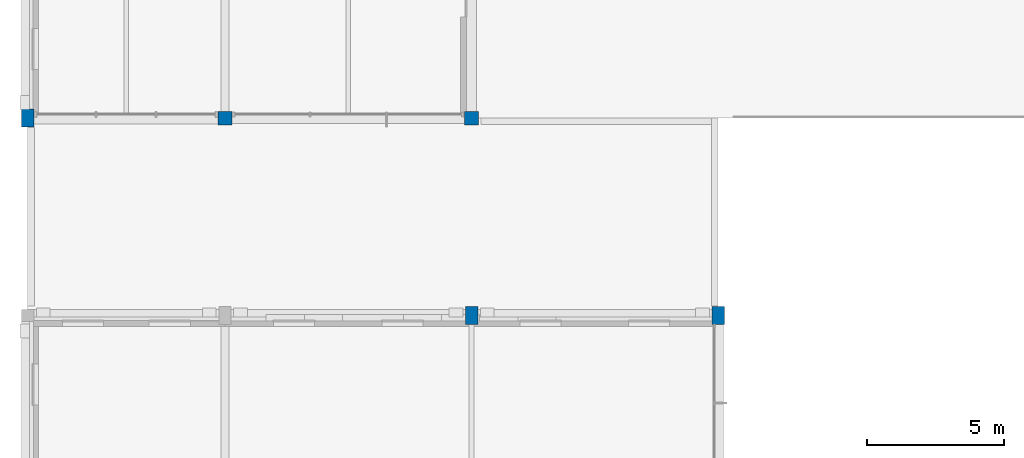
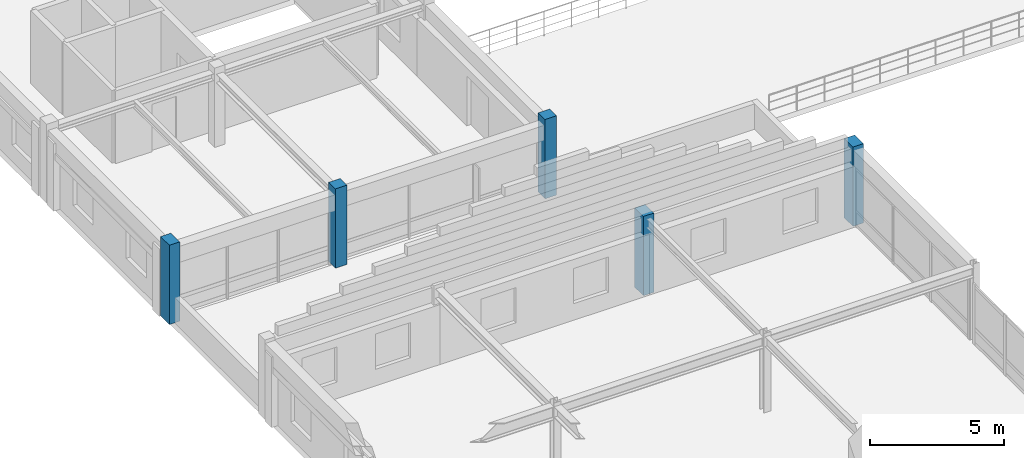
# One storey, part 5 of 74: 5 columns.
"""IFC4 building model written with IfcOpenShell, lengths in metres."""

from ifc_helpers import new_model, si_unit, direction, frame, origin, origin_2d, place, context, subcontext, project, spatial, rectangle, extrude, material, material_profile, profile_set, type_object, element, save


model = new_model("IFC4")

# Units and contexts
model_context = context("Model", 3, precision=1e-05, world=origin(), true_north=direction((0.0, 1.0)))
body_context = subcontext(model_context, "Body", "Model", "MODEL_VIEW")
ifc_project = project(units=[si_unit("LENGTHUNIT", "METRE"), si_unit("AREAUNIT", "SQUARE_METRE"), si_unit("VOLUMEUNIT", "CUBIC_METRE"), si_unit("PLANEANGLEUNIT", "RADIAN"), si_unit("MASSUNIT", "GRAM", prefix="KILO")], contexts=[model_context])

# Site, building, storey
site_placement = place(None, origin())
site = spatial("IfcSite", under=ifc_project, at=site_placement, CompositionType="ELEMENT")
building_placement = place(site_placement, origin())
building = spatial("IfcBuilding", under=site, at=building_placement, Name="Clarverna Civic Hall", CompositionType="ELEMENT")
storey_placement = place(building_placement, frame((0.0, 0.0, 13.199951171875)))
storey = spatial("IfcBuildingStorey", under=building, at=storey_placement, Name="L03", CompositionType="ELEMENT", Elevation=13.199951171875)

# Columns
ifc_material = material(Name="Concrete C35/45", Category="concrete")
ifc_material_profile_1 = material_profile(ifc_material, rectangle(XDim=0.5, YDim=0.5, at=origin_2d()), Name="RC 500x500")
ifc_profile_set_1 = profile_set([ifc_material_profile_1], Name="Concrete C35/45")
column_type_1 = type_object("IfcColumnType", Name="C-RC12", PredefinedType="COLUMN", material=ifc_profile_set_1)
for number, where, z_axis, x_axis, name in (
    (1, (7.199951171875, 62.60009765625, 0.0), (0.0, 0.0, 1.0), (1.0, 0.0, 0.0), "C-RC12-004"),
    (2, (16.199951171875, 62.60009765625, 0.0), (0.0, 0.0, 1.0), (1.0, 0.0, 0.0), "C-RC12-007"),
):
    element("IfcColumn", number, at=place(storey_placement, frame(where, z_axis=z_axis, x_axis=x_axis)), inside=storey, type_object=column_type_1, Name=name, PredefinedType="COLUMN", context=body_context, shape_type="SweptSolid", body=[
        extrude(rectangle(XDim=0.5, YDim=0.5, at=origin_2d()), origin(), (0.0, 0.0, 1.0), 3.60009765625),
    ])
ifc_material_profile_2 = material_profile(ifc_material, rectangle(XDim=0.449951171875, YDim=0.64990234375, at=origin_2d()), Name="RC 450x650")
ifc_profile_set_2 = profile_set([ifc_material_profile_2], Name="Concrete C35/45")
column_type_2 = type_object("IfcColumnType", Name="C-RC18", PredefinedType="COLUMN", material=ifc_profile_set_2)
for number, where, z_axis, x_axis, name in (
    (3, (0.0, 62.60009765625, 0.0), (0.0, 0.0, 1.0), (1.0, 0.0, 0.0), "C-RC18-001"),
    (4, (16.199951171875, 55.39990234375, 0.0), (0.0, 0.0, 1.0), (1.0, 0.0, 0.0), "C-RC18-007"),
    (5, (25.199951171875, 55.39990234375, 0.0), (0.0, 0.0, 1.0), (1.0, 0.0, 0.0), "C-RC18-010"),
):
    element("IfcColumn", number, at=place(storey_placement, frame(where, z_axis=z_axis, x_axis=x_axis)), inside=storey, type_object=column_type_2, Name=name, PredefinedType="COLUMN", context=body_context, shape_type="SweptSolid", body=[
        extrude(rectangle(XDim=0.449951171875, YDim=0.64990234375, at=origin_2d()), origin(), (0.0, 0.0, 1.0), 3.60009765625),
    ])

save(model, "model.ifc")
